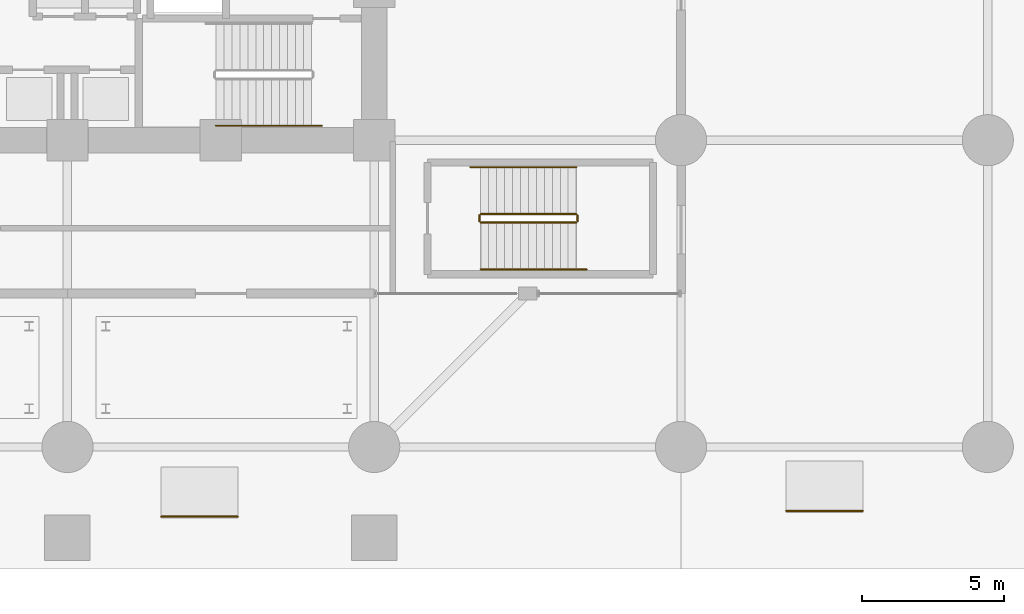
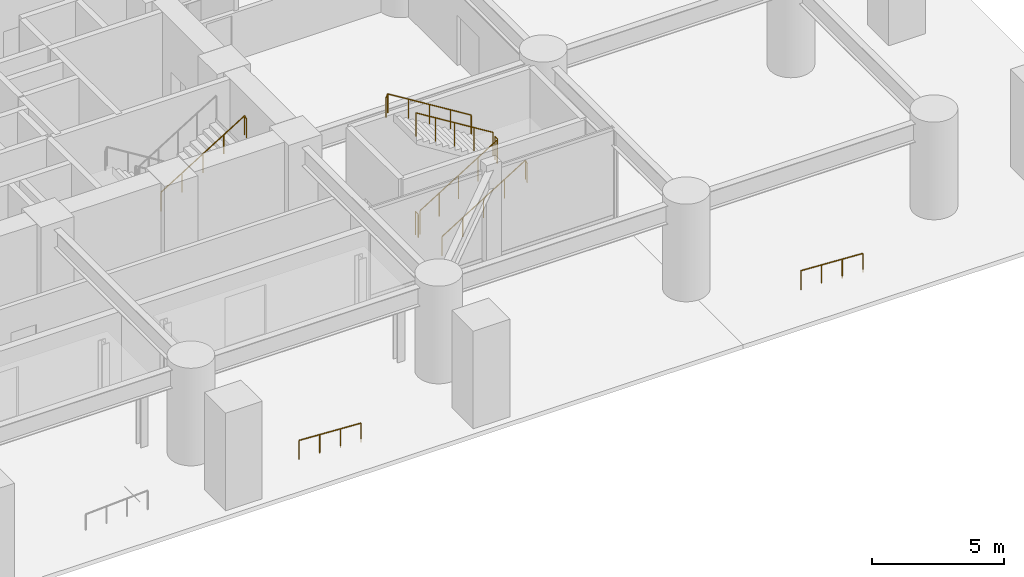
# One storey, part 24 of 29: 9 railings.
"""IFC4 building model written with IfcOpenShell, lengths in metres."""

from ifc_helpers import new_model, si_unit, direction, frame, origin, origin_2d, place, context, subcontext, project, spatial, circle, extrude, material, type_object, element, save


model = new_model("IFC4")

# Units and contexts
model_context = context("Model", 3, precision=1e-05, world=origin(), true_north=direction((0.0, 1.0)))
body_context = subcontext(model_context, "Body", "Model", "MODEL_VIEW")
ifc_project = project(units=[si_unit("LENGTHUNIT", "METRE"), si_unit("AREAUNIT", "SQUARE_METRE"), si_unit("VOLUMEUNIT", "CUBIC_METRE"), si_unit("PLANEANGLEUNIT", "RADIAN"), si_unit("MASSUNIT", "GRAM", prefix="KILO")], contexts=[model_context])

# Site, building, storey
site_placement = place(None, origin())
site = spatial("IfcSite", under=ifc_project, at=site_placement, CompositionType="ELEMENT")
building_placement = place(site_placement, origin())
building = spatial("IfcBuilding", under=site, at=building_placement, Name="Surkhivell Harbour Commons", CompositionType="ELEMENT")
storey_placement = place(building_placement, origin())
storey = spatial("IfcBuildingStorey", under=building, at=storey_placement, Name="L00", CompositionType="ELEMENT", Elevation=0.0)

# Railings
ifc_material_1 = material(Name="Brushed stainless steel S355 handrail", Category="steel")
railing_type_1 = type_object("IfcRailingType", Name="RAL-RMP-900", PredefinedType="HANDRAIL", material=ifc_material_1)
for number, where, name in (
    (1, (25.300048828125, -23.85009765625, 0.0), "L00 Ramp Handrail HR-03"),
    (2, (3.300048828125, -24.050048828125, 0.0), "L00 Ramp Handrail HR-06"),
):
    element("IfcRailing", number, at=place(storey_placement, frame(where)), inside=storey, type_object=railing_type_1, Name=name, PredefinedType="HANDRAIL", context=body_context, shape_type="SweptSolid", body=[
        extrude(circle(Radius=0.02392578125, at=origin_2d()), frame((0.0, 0.0, 0.8759765625), z_axis=(0.998462297193, 0.0, -0.055435016772), x_axis=(0.0, 1.0, 0.0)), (0.0, 0.0, 1.0), 2.7041015625),
        extrude(circle(Radius=0.02099609375, at=origin_2d()), origin(), (0.0, 0.0, 1.0), 0.851806640625),
        extrude(circle(Radius=0.02099609375, at=origin_2d()), frame((0.89990234375, 0.0, -0.050048828125)), (0.0, 0.0, 1.0), 0.851806640625),
        extrude(circle(Radius=0.02099609375, at=origin_2d()), frame((1.800048828125, 0.0, -0.099853515625)), (0.0, 0.0, 1.0), 0.851806640625),
        extrude(circle(Radius=0.02099609375, at=origin_2d()), frame((2.699951171875, 0.0, -0.14990234375)), (0.0, 0.0, 1.0), 0.851806640625),
    ])
ifc_material_2 = material(Name="Galvanised and painted steel S355 guard rail", Category="steel")
railing_type_2 = type_object("IfcRailingType", Name="RAL-ST-GRD1100", PredefinedType="GUARDRAIL", material=ifc_material_2)
railing_1_placement = place(storey_placement, frame((14.550048828125, -13.699951171875, 0.173095703125)))
element("IfcRailing", 3, at=railing_1_placement, inside=storey, type_object=railing_type_2, Name="L00 ST4 stair guard 1", PredefinedType="GUARDRAIL", context=body_context, shape_type="SweptSolid", body=[
    extrude(circle(Radius=0.02392578125, at=origin_2d()), frame((0.0, 0.0, 1.076171875), z_axis=(0.850606129759, 0.0, 0.525803396734), x_axis=(0.0, 1.0, 0.0)), (0.0, 0.0, 1.0), 3.949951171875),
    extrude(circle(Radius=0.02099609375, at=origin_2d()), origin(), (0.0, 0.0, 1.0), 1.052001953125),
    extrude(circle(Radius=0.02099609375, at=origin_2d()), frame((0.83984375, 0.0, 0.519287109375)), (0.0, 0.0, 1.0), 1.052001953125),
    extrude(circle(Radius=0.02099609375, at=origin_2d()), frame((1.679931640625, 0.0, 1.03857421875)), (0.0, 0.0, 1.0), 1.052001953125),
    extrude(circle(Radius=0.02099609375, at=origin_2d()), frame((2.52001953125, 0.0, 1.5576171875)), (0.0, 0.0, 1.0), 1.052001953125),
    extrude(circle(Radius=0.02099609375, at=origin_2d()), frame((3.35986328125, 0.0, 2.076904296875)), (0.0, 0.0, 1.0), 1.052001953125),
])
railing_2_placement = place(storey_placement, frame((17.9599609375, -13.64990234375, 2.25)))
element("IfcRailing", 4, at=railing_2_placement, inside=storey, type_object=railing_type_2, Name="L00 ST4 stair guard 2", PredefinedType="GUARDRAIL", context=body_context, shape_type="SweptSolid", body=[
    extrude(circle(Radius=0.02392578125, at=origin_2d()), frame((0.0, 0.0, 1.076171875), z_axis=(0.0, 1.0, 0.0), x_axis=(-1.0, 0.0, 0.0)), (0.0, 0.0, 1.0), 0.199951171875),
    extrude(circle(Radius=0.02099609375, at=origin_2d()), origin(), (0.0, 0.0, 1.0), 1.052001953125),
    extrude(circle(Radius=0.02099609375, at=origin_2d()), frame((0.0, 0.199951171875, 0.0)), (0.0, 0.0, 1.0), 1.052001953125),
])
railing_3_placement = place(storey_placement, frame((17.909912109375, -13.39990234375, 2.423095703125)))
element("IfcRailing", 5, at=railing_3_placement, inside=storey, type_object=railing_type_2, Name="L00 ST4 stair guard 3", PredefinedType="GUARDRAIL", context=body_context, shape_type="SweptSolid", body=[
    extrude(circle(Radius=0.02392578125, at=origin_2d()), frame((0.0, 0.0, 1.076171875), z_axis=(-0.850606129759, 0.0, 0.525803396734), x_axis=(0.0, -1.0, 0.0)), (0.0, 0.0, 1.0), 3.949951171875),
    extrude(circle(Radius=0.02099609375, at=origin_2d()), origin(), (0.0, 0.0, 1.0), 1.052001953125),
    extrude(circle(Radius=0.02099609375, at=origin_2d()), frame((-0.83984375, 0.0, 0.519287109375)), (0.0, 0.0, 1.0), 1.052001953125),
    extrude(circle(Radius=0.02099609375, at=origin_2d()), frame((-1.679931640625, 0.0, 1.03857421875)), (0.0, 0.0, 1.0), 1.052001953125),
    extrude(circle(Radius=0.02099609375, at=origin_2d()), frame((-2.52001953125, 0.0, 1.5576171875)), (0.0, 0.0, 1.0), 1.052001953125),
    extrude(circle(Radius=0.02099609375, at=origin_2d()), frame((-3.35986328125, 0.0, 2.076904296875)), (0.0, 0.0, 1.0), 1.052001953125),
])
railing_4_placement = place(storey_placement, frame((14.5, -13.64990234375, 0.0)))
element("IfcRailing", 6, at=railing_4_placement, inside=storey, type_object=railing_type_2, Name="L00 ST4 stair guard 4", PredefinedType="GUARDRAIL", context=body_context, shape_type="SweptSolid", body=[
    extrude(circle(Radius=0.02392578125, at=origin_2d()), frame((0.0, 0.0, 1.076171875), z_axis=(0.0, 1.0, 0.0), x_axis=(-1.0, 0.0, 0.0)), (0.0, 0.0, 1.0), 0.199951171875),
    extrude(circle(Radius=0.02099609375, at=origin_2d()), origin(), (0.0, 0.0, 1.0), 1.052001953125),
    extrude(circle(Radius=0.02099609375, at=origin_2d()), frame((0.0, 0.199951171875, 0.0)), (0.0, 0.0, 1.0), 1.052001953125),
])
railing_type_3 = type_object("IfcRailingType", Name="RAL-ST-HND900", PredefinedType="HANDRAIL", material=ifc_material_1)
railing_5_placement = place(storey_placement, frame((5.22998046875, -10.2900390625, 2.423095703125)))
element("IfcRailing", 7, at=railing_5_placement, inside=storey, type_object=railing_type_3, Name="L00 ST2 stair handrail 2", PredefinedType="HANDRAIL", context=body_context, shape_type="SweptSolid", body=[
    extrude(circle(Radius=0.02392578125, at=origin_2d()), frame((0.0, 0.0, 0.8759765625), z_axis=(0.850622404505, 0.0, 0.525777067734), x_axis=(0.0, 1.0, 0.0)), (0.0, 0.0, 1.0), 4.279296875),
    extrude(circle(Radius=0.02392578125, at=origin_2d()), frame((3.64013671875, 0.0, 3.1259765625), z_axis=(0.418814502111, 0.0, -0.908071810388), x_axis=(0.0, 1.0, 0.0)), (0.0, 0.0, 1.0), 0.190673828125),
    extrude(circle(Radius=0.02099609375, at=origin_2d()), origin(), (0.0, 0.0, 1.0), 0.851806640625),
    extrude(circle(Radius=0.02099609375, at=origin_2d()), frame((0.91015625, 0.0, 0.5625)), (0.0, 0.0, 1.0), 0.851806640625),
    extrude(circle(Radius=0.02099609375, at=origin_2d()), frame((1.820068359375, 0.0, 1.125)), (0.0, 0.0, 1.0), 0.851806640625),
    extrude(circle(Radius=0.02099609375, at=origin_2d()), frame((2.72998046875, 0.0, 1.6875)), (0.0, 0.0, 1.0), 0.851806640625),
    extrude(circle(Radius=0.02099609375, at=origin_2d()), frame((3.64013671875, 0.0, 2.25)), (0.0, 0.0, 1.0), 0.851806640625),
    extrude(circle(Radius=0.02099609375, at=origin_2d()), frame((3.719970703125, 0.0, 2.076904296875)), (0.0, 0.0, 1.0), 0.851806640625),
])
railing_6_placement = place(storey_placement, frame((14.550048828125, -15.35009765625, 0.173095703125)))
element("IfcRailing", 8, at=railing_6_placement, inside=storey, type_object=railing_type_3, Name="L00 ST4 stair handrail 1", PredefinedType="HANDRAIL", context=body_context, shape_type="SweptSolid", body=[
    extrude(circle(Radius=0.02392578125, at=origin_2d()), frame((0.0, 0.0, 0.8759765625), z_axis=(0.850606632239, 0.0, 0.525802583857), x_axis=(0.0, 1.0, 0.0)), (0.0, 0.0, 1.0), 4.279052734375),
    extrude(circle(Radius=0.02392578125, at=origin_2d()), frame((3.639892578125, 0.0, 3.1259765625), z_axis=(0.419869774861, 0.0, -0.907584360904), x_axis=(0.0, 1.0, 0.0)), (0.0, 0.0, 1.0), 0.190673828125),
    extrude(circle(Radius=0.02099609375, at=origin_2d()), origin(), (0.0, 0.0, 1.0), 0.851806640625),
    extrude(circle(Radius=0.02099609375, at=origin_2d()), frame((0.909912109375, 0.0, 0.5625)), (0.0, 0.0, 1.0), 0.851806640625),
    extrude(circle(Radius=0.02099609375, at=origin_2d()), frame((1.81982421875, 0.0, 1.125)), (0.0, 0.0, 1.0), 0.851806640625),
    extrude(circle(Radius=0.02099609375, at=origin_2d()), frame((2.72998046875, 0.0, 1.6875)), (0.0, 0.0, 1.0), 0.851806640625),
    extrude(circle(Radius=0.02099609375, at=origin_2d()), frame((3.639892578125, 0.0, 2.25)), (0.0, 0.0, 1.0), 0.851806640625),
    extrude(circle(Radius=0.02099609375, at=origin_2d()), frame((3.719970703125, 0.0, 2.076904296875)), (0.0, 0.0, 1.0), 0.851806640625),
])
railing_7_placement = place(storey_placement, frame((17.909912109375, -11.75, 2.423095703125)))
element("IfcRailing", 9, at=railing_7_placement, inside=storey, type_object=railing_type_3, Name="L00 ST4 stair handrail 2", PredefinedType="HANDRAIL", context=body_context, shape_type="SweptSolid", body=[
    extrude(circle(Radius=0.02392578125, at=origin_2d()), frame((0.0, 0.0, 0.8759765625), z_axis=(-0.850606632239, 0.0, 0.525802583857), x_axis=(0.0, -1.0, 0.0)), (0.0, 0.0, 1.0), 4.279052734375),
    extrude(circle(Radius=0.02392578125, at=origin_2d()), frame((-3.639892578125, 0.0, 3.1259765625), z_axis=(-0.419869774861, 0.0, -0.907584360904), x_axis=(0.0, -1.0, 0.0)), (0.0, 0.0, 1.0), 0.190673828125),
    extrude(circle(Radius=0.02099609375, at=origin_2d()), origin(), (0.0, 0.0, 1.0), 0.851806640625),
    extrude(circle(Radius=0.02099609375, at=origin_2d()), frame((-0.909912109375, 0.0, 0.5625)), (0.0, 0.0, 1.0), 0.851806640625),
    extrude(circle(Radius=0.02099609375, at=origin_2d()), frame((-1.81982421875, 0.0, 1.125)), (0.0, 0.0, 1.0), 0.851806640625),
    extrude(circle(Radius=0.02099609375, at=origin_2d()), frame((-2.72998046875, 0.0, 1.6875)), (0.0, 0.0, 1.0), 0.851806640625),
    extrude(circle(Radius=0.02099609375, at=origin_2d()), frame((-3.639892578125, 0.0, 2.25)), (0.0, 0.0, 1.0), 0.851806640625),
    extrude(circle(Radius=0.02099609375, at=origin_2d()), frame((-3.719970703125, 0.0, 2.076904296875)), (0.0, 0.0, 1.0), 0.851806640625),
])

save(model, "model.ifc")
